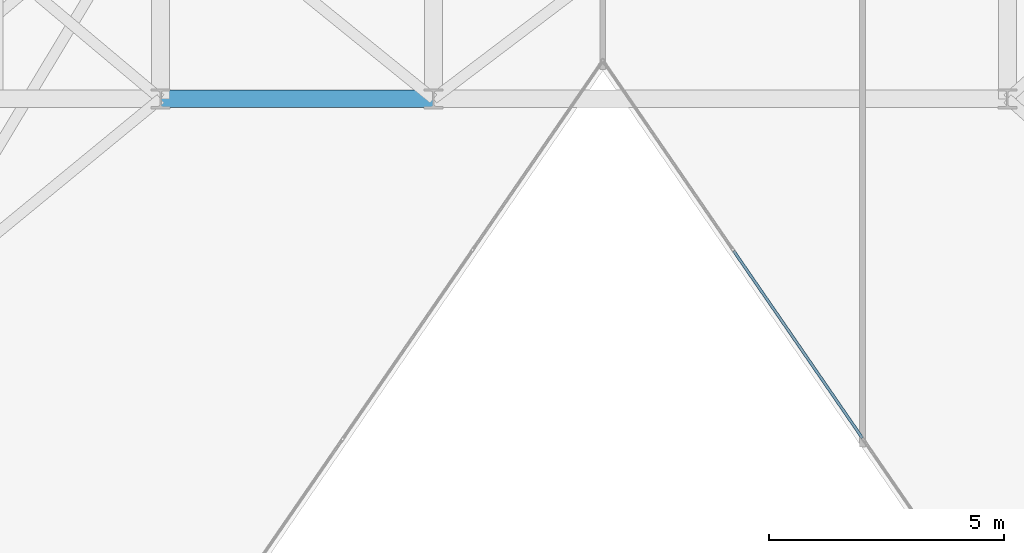
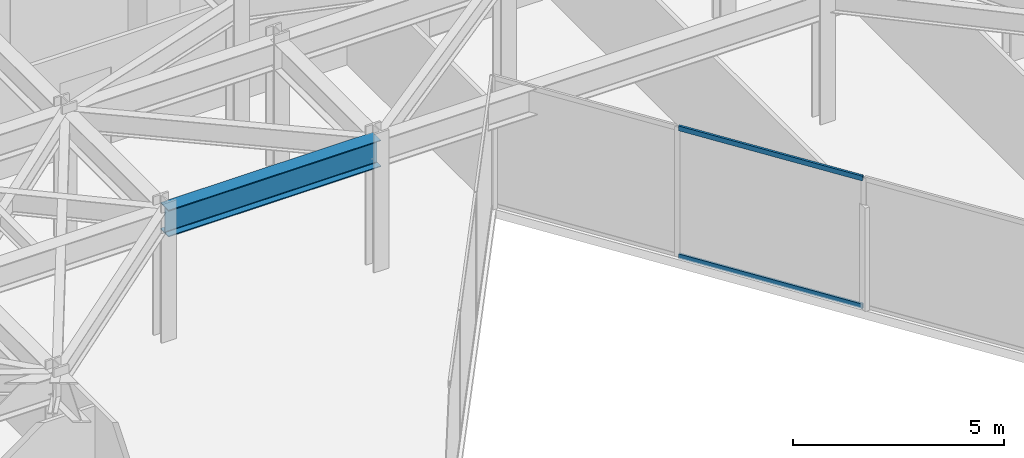
# One storey, part 7 of 26: 2 members, 1 beam, 1 element without a shape of its own.
"""IFC4 building model written with IfcOpenShell, lengths in metres."""

from ifc_helpers import new_model, si_unit, direction, frame, origin, origin_2d, place, context, subcontext, project, spatial, hollow_rectangle, i_section, extrude, material, layer, layer_set, material_profile, profile_set, type_object, element, aggregate, save


model = new_model("IFC4")

# Units and contexts
model_context = context("Model", 3, precision=1e-05, world=origin(), true_north=direction((0.0, 1.0)))
body_context = subcontext(model_context, "Body", "Model", "MODEL_VIEW")
ifc_project = project(units=[si_unit("LENGTHUNIT", "METRE"), si_unit("AREAUNIT", "SQUARE_METRE"), si_unit("VOLUMEUNIT", "CUBIC_METRE"), si_unit("PLANEANGLEUNIT", "RADIAN"), si_unit("MASSUNIT", "GRAM", prefix="KILO")], contexts=[model_context])

# Site, building, storey
site_placement = place(None, origin())
site = spatial("IfcSite", under=ifc_project, at=site_placement, CompositionType="ELEMENT")
building_placement = place(site_placement, origin())
building = spatial("IfcBuilding", under=site, at=building_placement, Name="Kravanh Interchange Tower", CompositionType="ELEMENT")
storey_placement = place(building_placement, frame((0.0, 0.0, 172.5)))
storey = spatial("IfcBuildingStorey", under=building, at=storey_placement, Name="L41", CompositionType="ELEMENT", Elevation=172.5)

# Curtain wall, members
ifc_material_1 = material(Name="Anodised Bronze Aluminium", Category="aluminium")
ifc_layer = layer(ifc_material_1, 0.179931640625)
ifc_layer_set = layer_set([ifc_layer], Name="Unitised Curtain Wall System CW-Z3 Upper Office")
curtain_wall_type = type_object("IfcCurtainWallType", Name="Unitised Curtain Wall System CW-Z3 Upper Office", PredefinedType="NOTDEFINED", material=ifc_layer_set)
curtain_wall_placement = place(storey_placement, origin())
curtain_wall = element("IfcCurtainWall", 1, at=curtain_wall_placement, inside=storey, type_object=curtain_wall_type, Name="L41 Unitised Curtain Wall CW-L41-04", PredefinedType="NOTDEFINED")
ifc_material_2 = material(Name="Anodised Bronze Aluminium", Category="aluminium")
ifc_material_profile_1 = material_profile(ifc_material_2, hollow_rectangle(XDim=0.06005859375, YDim=0.139892578125, WallThickness=0.00390625, at=origin_2d()), Name="ALU60X140X4")
ifc_profile_set_1 = profile_set([ifc_material_profile_1], Name="Anodised Bronze Aluminium")
member_type = type_object("IfcMemberType", Name="Curtain Wall Transom ALU60X140X4 Bronze", PredefinedType="USERDEFINED", material=ifc_profile_set_1)
member_1_placement = place(storey_placement, frame((47.714599609375, 19.590576171875, 0.030029296875), z_axis=(-0.566537417683, 0.824036015211, 0.0), x_axis=(-0.824036015211, -0.566537417683, 0.0)))
member_1 = element("IfcMember", 2, at=member_1_placement, type_object=member_type, Name="CW-Z3 transom 3.1", ObjectType="TRANSOM", PredefinedType="USERDEFINED", context=body_context, shape_type="SweptSolid", body=[
    extrude(hollow_rectangle(XDim=0.06005859375, YDim=0.139892578125, WallThickness=0.00390625, at=origin_2d()), origin(), (0.0, 0.0, 1.0), 4.822265625),
])
member_2_placement = place(storey_placement, frame((47.714599609375, 19.590576171875, 3.72509765625), z_axis=(-0.566537417683, 0.824036015211, 0.0), x_axis=(-0.824036015211, -0.566537417683, 0.0)))
member_2 = element("IfcMember", 3, at=member_2_placement, type_object=member_type, Name="CW-Z3 transom 3.2", ObjectType="TRANSOM", PredefinedType="USERDEFINED", context=body_context, shape_type="SweptSolid", body=[
    extrude(hollow_rectangle(XDim=0.06005859375, YDim=0.139892578125, WallThickness=0.00390625, at=origin_2d()), origin(), (0.0, 0.0, 1.0), 4.822265625),
])
aggregate(curtain_wall, [member_1, member_2])

# Beam
ifc_material_3 = material(Name="Structural Steel S355", Category="steel")
ifc_material_profile_2 = material_profile(ifc_material_3, i_section(OverallWidth=0.381103515625, OverallDepth=0.77294921875, WebThickness=0.0166015625, FlangeThickness=0.027099609375, FilletRadius=0.02490234375, at=origin_2d()), Name="W30X173")
ifc_profile_set_2 = profile_set([ifc_material_profile_2], Name="Structural Steel S355")
beam_type = type_object("IfcBeamType", Name="Floor Beam W30X173 Structural Steel S355", PredefinedType="BEAM", material=ifc_profile_set_2)
beam_placement = place(storey_placement, frame((32.800048828125, 26.800048828125, 3.368408203125), z_axis=(1.0, 0.0, 0.0), x_axis=(0.0, 1.0, 0.0)))
element("IfcBeam", 4, at=beam_placement, inside=storey, type_object=beam_type, Name="L41 Primary Floor Girder 42", PredefinedType="BEAM", context=body_context, shape_type="SweptSolid", body=[
    extrude(i_section(OverallWidth=0.381103515625, OverallDepth=0.77294921875, WebThickness=0.0166015625, FlangeThickness=0.027099609375, FilletRadius=0.02490234375, at=origin_2d()), origin(), (0.0, 0.0, 1.0), 5.800048828125),
])

save(model, "model.ifc")
